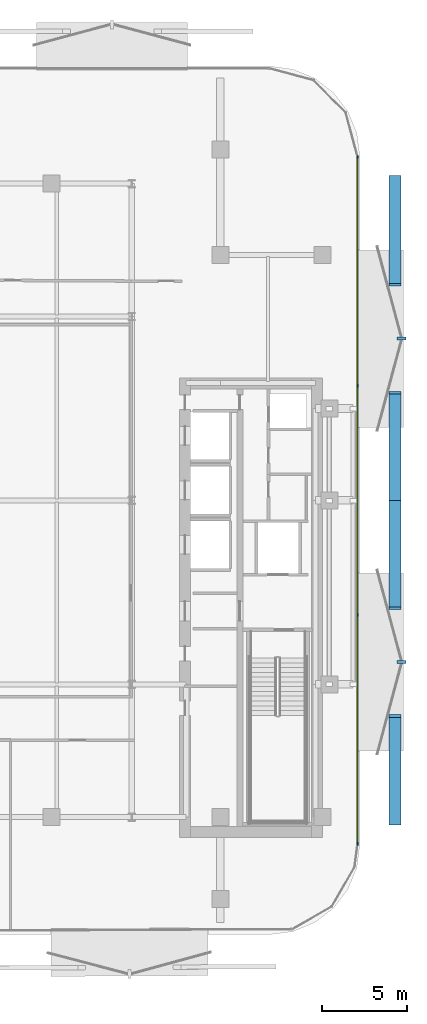
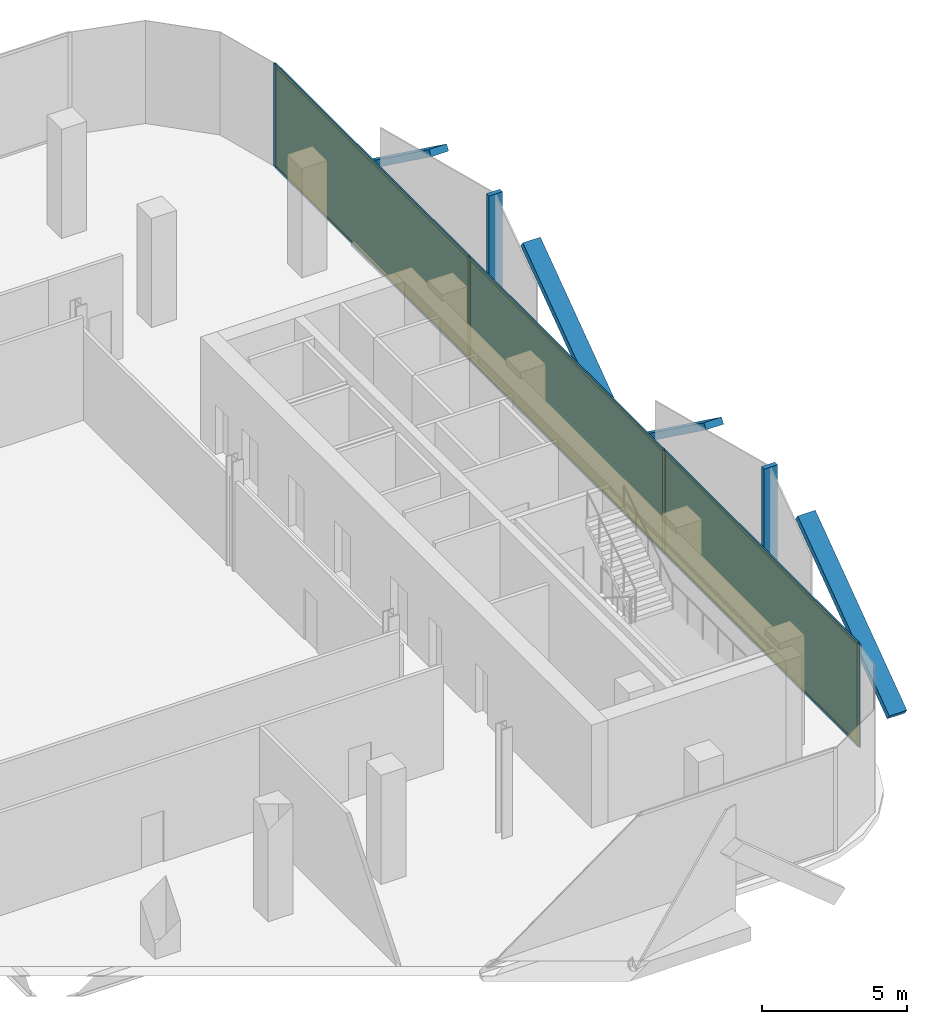
# One storey, part 8 of 14: 16 members, 3 plates, 1 curtain wall.
"""IFC4 building model written with IfcOpenShell, lengths in metres."""

from ifc_helpers import new_model, si_unit, direction, frame, frame_2d, origin, origin_2d, place, context, subcontext, project, spatial, rectangle, extrude, material, layer, layer_set, material_profile, profile_set, type_object, element, aggregate, save


model = new_model("IFC4")

# Units and contexts
model_context = context("Model", 3, precision=1e-05, world=origin(), true_north=direction((0.0, 1.0)))
body_context = subcontext(model_context, "Body", "Model", "MODEL_VIEW")
ifc_project = project(units=[si_unit("LENGTHUNIT", "METRE"), si_unit("AREAUNIT", "SQUARE_METRE"), si_unit("VOLUMEUNIT", "CUBIC_METRE"), si_unit("PLANEANGLEUNIT", "RADIAN"), si_unit("MASSUNIT", "GRAM", prefix="KILO")], contexts=[model_context])

# Member
ifc_material_1 = material(Name="Anodised Bronze Aluminium 6063-T6", Category="aluminium")
ifc_material_profile_1 = material_profile(ifc_material_1, rectangle(XDim=0.260009765625, YDim=0.699951171875, at=origin_2d()))
ifc_profile_set_1 = profile_set([ifc_material_profile_1], Name="Anodised Bronze Aluminium 6063-T6")
member_type_1 = type_object("IfcMemberType", Name="Bronze Diamond Solar-Screen Lattice Rib BDL-700", PredefinedType="MULLION", material=ifc_profile_set_1)
site_placement = place(None, origin())
building_placement = place(site_placement, origin())
storey_placement = place(building_placement, frame((0.0, 0.0, 160.39990234375)))
member_1_placement = place(storey_placement, frame((24.64990234375, 18.99072265625, -0.1298828125), z_axis=(0.0, -0.808965379471, 0.587856287554), x_axis=(0.0, -0.587856287554, -0.808965379471)))
member_1 = element("IfcMember", 1, at=member_1_placement, type_object=member_type_1, Name="L36 Bronze Diamond Solar Screen Lattice Rib 231A", PredefinedType="MULLION", context=body_context, shape_type="SweptSolid", body=[
    extrude(rectangle(XDim=0.260009765625, YDim=0.699951171875, at=origin_2d()), origin(), (0.0, 0.0, 1.0), 7.8251953125),
])

member_2_placement = place(storey_placement, frame((24.64990234375, 0.0, -0.1298828125), z_axis=(0.0, 0.808965379471, 0.587856287554), x_axis=(0.0, 0.587856287554, -0.808965379471)))
member_2 = element("IfcMember", 2, at=member_2_placement, type_object=member_type_1, Name="L36 Bronze Diamond Solar Screen Lattice Rib 231B", PredefinedType="MULLION", context=body_context, shape_type="SweptSolid", body=[
    extrude(rectangle(XDim=0.260009765625, YDim=0.699951171875, at=origin_2d()), origin(), (0.0, 0.0, 1.0), 7.8251953125),
])

member_3_placement = place(storey_placement, frame((24.64990234375, 0.0, -0.1298828125), z_axis=(0.0, -0.808965379471, 0.587856287554), x_axis=(0.0, -0.587856287554, -0.808965379471)))
member_3 = element("IfcMember", 3, at=member_3_placement, type_object=member_type_1, Name="L36 Bronze Diamond Solar Screen Lattice Rib 232A", PredefinedType="MULLION", context=body_context, shape_type="SweptSolid", body=[
    extrude(rectangle(XDim=0.260009765625, YDim=0.699951171875, at=origin_2d()), origin(), (0.0, 0.0, 1.0), 7.8251953125),
])

member_4_placement = place(storey_placement, frame((24.64990234375, -18.99072265625, -0.1298828125), z_axis=(0.0, 0.808965379471, 0.587856287554), x_axis=(0.0, 0.587856287554, -0.808965379471)))
member_4 = element("IfcMember", 4, at=member_4_placement, type_object=member_type_1, Name="L36 Bronze Diamond Solar Screen Lattice Rib 232B", PredefinedType="MULLION", context=body_context, shape_type="SweptSolid", body=[
    extrude(rectangle(XDim=0.260009765625, YDim=0.699951171875, at=origin_2d()), origin(), (0.0, 0.0, 1.0), 7.8251953125),
])

ifc_material_2 = material(Name="Anodised Bronze Aluminium 6063-T6", Category="aluminium")
ifc_material_profile_2 = material_profile(ifc_material_2, rectangle(XDim=0.179931640625, YDim=0.5400390625, at=origin_2d()))
ifc_profile_set_2 = profile_set([ifc_material_profile_2], Name="Anodised Bronze Aluminium 6063-T6")
member_type_2 = type_object("IfcMemberType", Name="Bronze Solar-Screen Vertical Fold Fin BSF-540", PredefinedType="MULLION", material=ifc_profile_set_2)
member_5_placement = place(storey_placement, frame((25.0400390625, 9.495361328125, -0.1298828125), z_axis=(0.0, 0.0, 1.0), x_axis=(0.0, -1.0, 0.0)))
member_5 = element("IfcMember", 5, at=member_5_placement, type_object=member_type_2, Name="L36 Bronze Solar Screen Vertical Fin 231", PredefinedType="MULLION", context=body_context, shape_type="SweptSolid", body=[
    extrude(rectangle(XDim=0.179931640625, YDim=0.5400390625, at=origin_2d()), origin(), (0.0, 0.0, 1.0), 4.60009765625),
])

member_6_placement = place(storey_placement, frame((25.0400390625, -9.495361328125, -0.1298828125), z_axis=(0.0, 0.0, 1.0), x_axis=(0.0, -1.0, 0.0)))
member_6 = element("IfcMember", 6, at=member_6_placement, type_object=member_type_2, Name="L36 Bronze Solar Screen Vertical Fin 232", PredefinedType="MULLION", context=body_context, shape_type="SweptSolid", body=[
    extrude(rectangle(XDim=0.179931640625, YDim=0.5400390625, at=origin_2d()), origin(), (0.0, 0.0, 1.0), 4.60009765625),
])

ifc_material_3 = material(Name="Anodised Bronze Aluminium 6063-T6", Category="aluminium")
ifc_material_profile_3 = material_profile(ifc_material_3, rectangle(XDim=0.06005859375, YDim=0.1650390625, at=origin_2d()))
ifc_profile_set_3 = profile_set([ifc_material_profile_3], Name="Anodised Bronze Aluminium 6063-T6")
member_type_3 = type_object("IfcMemberType", Name="CW-Z3 Mullion 60x165", PredefinedType="MULLION", material=ifc_profile_set_3)
member_7_placement = place(storey_placement, frame((22.4599609375, 20.160888671875, 0.0), z_axis=(0.0, 0.0, 1.0), x_axis=(1.0, 0.0, 0.0)))
member_7 = element("IfcMember", 7, at=member_7_placement, type_object=member_type_3, Name="CW-Z3 mullion 1", PredefinedType="MULLION", context=body_context, shape_type="SweptSolid", body=[
    extrude(rectangle(XDim=0.06005859375, YDim=0.1650390625, at=origin_2d()), origin(), (0.0, 0.0, 1.0), 4.340087890625),
])

member_8_placement = place(storey_placement, frame((22.4599609375, 6.730224609375, 0.0), z_axis=(0.0, 0.0, 1.0), x_axis=(1.0, 0.0, 0.0)))
member_8 = element("IfcMember", 8, at=member_8_placement, type_object=member_type_3, Name="CW-Z3 mullion 2", PredefinedType="MULLION", context=body_context, shape_type="SweptSolid", body=[
    extrude(rectangle(XDim=0.06005859375, YDim=0.1650390625, at=origin_2d()), origin(), (0.0, 0.0, 1.0), 4.340087890625),
])

member_9_placement = place(storey_placement, frame((22.4599609375, -6.730224609375, 0.0), z_axis=(0.0, 0.0, 1.0), x_axis=(1.0, 0.0, 0.0)))
member_9 = element("IfcMember", 9, at=member_9_placement, type_object=member_type_3, Name="CW-Z3 mullion 3", PredefinedType="MULLION", context=body_context, shape_type="SweptSolid", body=[
    extrude(rectangle(XDim=0.06005859375, YDim=0.1650390625, at=origin_2d()), origin(), (0.0, 0.0, 1.0), 4.340087890625),
])

member_10_placement = place(storey_placement, frame((22.4599609375, -20.160888671875, 0.0), z_axis=(0.0, 0.0, 1.0), x_axis=(1.0, 0.0, 0.0)))
member_10 = element("IfcMember", 10, at=member_10_placement, type_object=member_type_3, Name="CW-Z3 mullion 4", PredefinedType="MULLION", context=body_context, shape_type="SweptSolid", body=[
    extrude(rectangle(XDim=0.06005859375, YDim=0.1650390625, at=origin_2d()), origin(), (0.0, 0.0, 1.0), 4.340087890625),
])

ifc_material_4 = material(Name="Anodised Bronze Aluminium 6063-T6", Category="aluminium")
ifc_material_profile_4 = material_profile(ifc_material_4, rectangle(XDim=0.06005859375, YDim=0.1298828125, at=origin_2d()))
ifc_profile_set_4 = profile_set([ifc_material_profile_4], Name="Anodised Bronze Aluminium 6063-T6")
member_type_4 = type_object("IfcMemberType", Name="CW-Z3 Transom 60x130", PredefinedType="USERDEFINED", material=ifc_profile_set_4)
member_11_placement = place(storey_placement, frame((22.4599609375, 20.130859375, 0.030029296875), z_axis=(0.0, -1.0, 0.0), x_axis=(1.0, 0.0, 0.0)))
member_11 = element("IfcMember", 11, at=member_11_placement, type_object=member_type_4, Name="CW-Z3 transom 1.1", ObjectType="TRANSOM", PredefinedType="USERDEFINED", context=body_context, shape_type="SweptSolid", body=[
    extrude(rectangle(XDim=0.06005859375, YDim=0.1298828125, at=origin_2d()), origin(), (0.0, 0.0, 1.0), 13.37060546875),
])

member_12_placement = place(storey_placement, frame((22.4599609375, 20.130859375, 4.31005859375), z_axis=(0.0, -1.0, 0.0), x_axis=(1.0, 0.0, 0.0)))
member_12 = element("IfcMember", 12, at=member_12_placement, type_object=member_type_4, Name="CW-Z3 transom 1.2", ObjectType="TRANSOM", PredefinedType="USERDEFINED", context=body_context, shape_type="SweptSolid", body=[
    extrude(rectangle(XDim=0.06005859375, YDim=0.1298828125, at=origin_2d()), origin(), (0.0, 0.0, 1.0), 13.37060546875),
])

member_13_placement = place(storey_placement, frame((22.4599609375, 6.7001953125, 0.030029296875), z_axis=(0.0, -1.0, 0.0), x_axis=(1.0, 0.0, 0.0)))
member_13 = element("IfcMember", 13, at=member_13_placement, type_object=member_type_4, Name="CW-Z3 transom 2.1", ObjectType="TRANSOM", PredefinedType="USERDEFINED", context=body_context, shape_type="SweptSolid", body=[
    extrude(rectangle(XDim=0.06005859375, YDim=0.1298828125, at=origin_2d()), origin(), (0.0, 0.0, 1.0), 13.400390625),
])

member_14_placement = place(storey_placement, frame((22.4599609375, 6.7001953125, 4.31005859375), z_axis=(0.0, -1.0, 0.0), x_axis=(1.0, 0.0, 0.0)))
member_14 = element("IfcMember", 14, at=member_14_placement, type_object=member_type_4, Name="CW-Z3 transom 2.2", ObjectType="TRANSOM", PredefinedType="USERDEFINED", context=body_context, shape_type="SweptSolid", body=[
    extrude(rectangle(XDim=0.06005859375, YDim=0.1298828125, at=origin_2d()), origin(), (0.0, 0.0, 1.0), 13.400390625),
])

member_15_placement = place(storey_placement, frame((22.4599609375, -6.76025390625, 0.030029296875), z_axis=(0.0, -1.0, 0.0), x_axis=(1.0, 0.0, 0.0)))
member_15 = element("IfcMember", 15, at=member_15_placement, type_object=member_type_4, Name="CW-Z3 transom 3.1", ObjectType="TRANSOM", PredefinedType="USERDEFINED", context=body_context, shape_type="SweptSolid", body=[
    extrude(rectangle(XDim=0.06005859375, YDim=0.1298828125, at=origin_2d()), origin(), (0.0, 0.0, 1.0), 13.37060546875),
])

member_16_placement = place(storey_placement, frame((22.4599609375, -6.76025390625, 4.31005859375), z_axis=(0.0, -1.0, 0.0), x_axis=(1.0, 0.0, 0.0)))
member_16 = element("IfcMember", 16, at=member_16_placement, type_object=member_type_4, Name="CW-Z3 transom 3.2", ObjectType="TRANSOM", PredefinedType="USERDEFINED", context=body_context, shape_type="SweptSolid", body=[
    extrude(rectangle(XDim=0.06005859375, YDim=0.1298828125, at=origin_2d()), origin(), (0.0, 0.0, 1.0), 13.37060546875),
])

# Plate
ifc_material_5 = material(Name="Low-E Solar Control Laminated Glass", Category="glass")
ifc_layer_1 = layer(ifc_material_5, 0.030029296875, Name="Low-E Solar Control Laminated Glass")
ifc_layer_set_1 = layer_set([ifc_layer_1], Name="Low-E Solar Control Laminated Glass")
plate_type = type_object("IfcPlateType", Name="CW-Z3 Low-E Double Glazed Panel 30mm", PredefinedType="CURTAIN_PANEL", material=ifc_layer_set_1)
plate_1_placement = place(storey_placement, frame((22.4599609375, 13.445556640625, 0.06005859375), z_axis=(0.0, 0.0, 1.0), x_axis=(0.0, -1.0, 0.0)))
plate_1 = element("IfcPlate", 17, at=plate_1_placement, type_object=plate_type, Name="CW-Z3 panel 1.1", PredefinedType="CURTAIN_PANEL", context=body_context, shape_type="SweptSolid", body=[
    extrude(rectangle(XDim=13.37060546875, YDim=0.030029296875, at=origin_2d()), origin(), (0.0, 0.0, 1.0), 4.219970703125),
])

plate_2_placement = place(storey_placement, frame((22.4599609375, 0.0, 0.06005859375), z_axis=(0.0, 0.0, 1.0), x_axis=(0.0, -1.0, 0.0)))
plate_2 = element("IfcPlate", 18, at=plate_2_placement, type_object=plate_type, Name="CW-Z3 panel 2.1", PredefinedType="CURTAIN_PANEL", context=body_context, shape_type="SweptSolid", body=[
    extrude(rectangle(XDim=13.400634765625, YDim=0.030029296875, at=origin_2d()), origin(), (0.0, 0.0, 1.0), 4.219970703125),
])

plate_3_placement = place(storey_placement, frame((22.4599609375, -13.445556640625, 0.06005859375), z_axis=(0.0, 0.0, 1.0), x_axis=(0.0, -1.0, 0.0)))
plate_3 = element("IfcPlate", 19, at=plate_3_placement, type_object=plate_type, Name="CW-Z3 panel 3.1", PredefinedType="CURTAIN_PANEL", context=body_context, shape_type="SweptSolid", body=[
    extrude(rectangle(XDim=13.37060546875, YDim=0.030029296875, at=origin_2d()), origin(), (0.0, 0.0, 1.0), 4.219970703125),
])

# Site, building, storey
site = spatial("IfcSite", under=ifc_project, at=site_placement, CompositionType="ELEMENT")
building = spatial("IfcBuilding", under=site, at=building_placement, Name="Khairoan Windgate Tower", CompositionType="ELEMENT")
storey = spatial("IfcBuildingStorey", under=building, at=storey_placement, Name="L36", CompositionType="ELEMENT", Elevation=160.39990234375)

# Curtain wall
ifc_material_6 = material(Name="Anodised Bronze Aluminium 6063-T6", Category="aluminium")
ifc_layer_2 = layer(ifc_material_6, 0.1650390625, Name="Anodised Bronze Aluminium 6063-T6")
ifc_layer_set_2 = layer_set([ifc_layer_2], Name="Anodised Bronze Aluminium 6063-T6")
curtain_wall_type = type_object("IfcCurtainWallType", Name="Luxury Hotel Acoustic Curtain Wall CW-Z3", PredefinedType="NOTDEFINED", material=ifc_layer_set_2)
curtain_wall_placement = place(storey_placement, frame((22.4599609375, 20.19091796875, 0.0), z_axis=(0.0, 0.0, 1.0), x_axis=(0.0, -1.0, 0.0)))
curtain_wall = element("IfcCurtainWall", 20, at=curtain_wall_placement, inside=storey, type_object=curtain_wall_type, Name="L36 Unitised Curtain Wall 13", PredefinedType="NOTDEFINED", context=body_context, shape_type="SweptSolid", body=[
    extrude(rectangle(XDim=40.3818359375, YDim=0.010009765625, at=frame_2d((20.19091796875, 0.0))), origin(), (0.0, 0.0, 1.0), 4.340087890625),
])

aggregate(curtain_wall, [member_7, member_8, member_9, member_10, member_11, member_12, plate_1, member_13, member_14, plate_2, member_15, member_16, plate_3, member_1, member_2, member_5, member_3, member_4, member_6])

save(model, "model.ifc")
